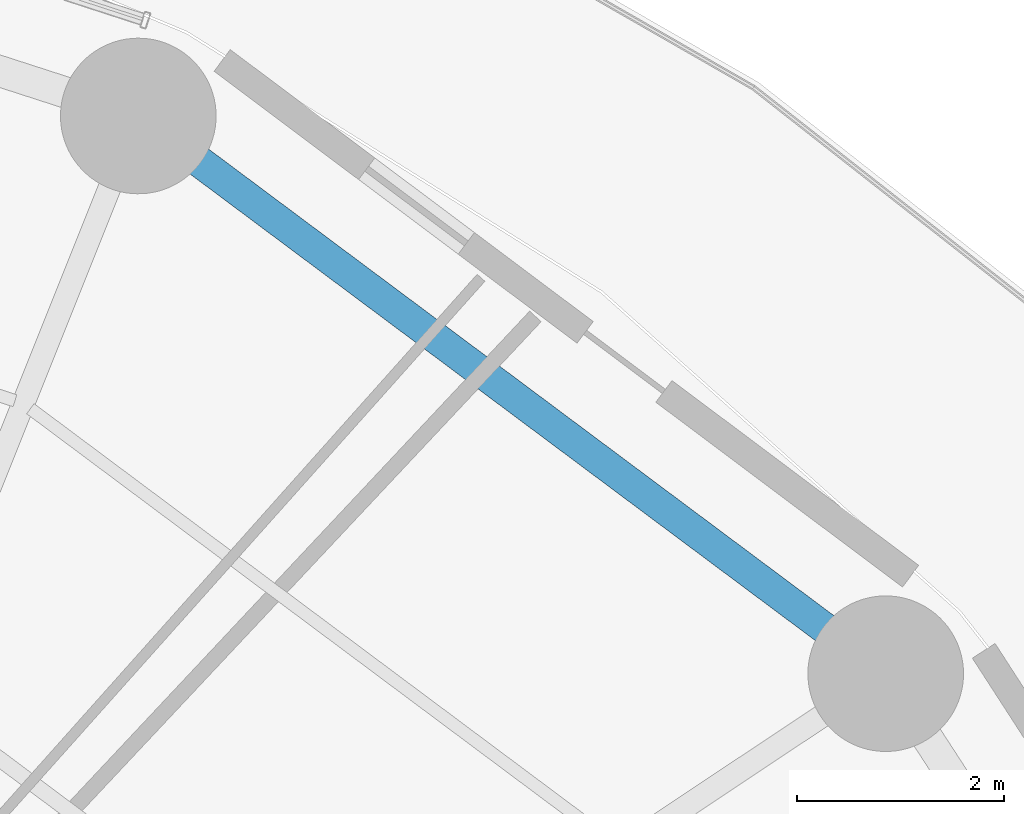
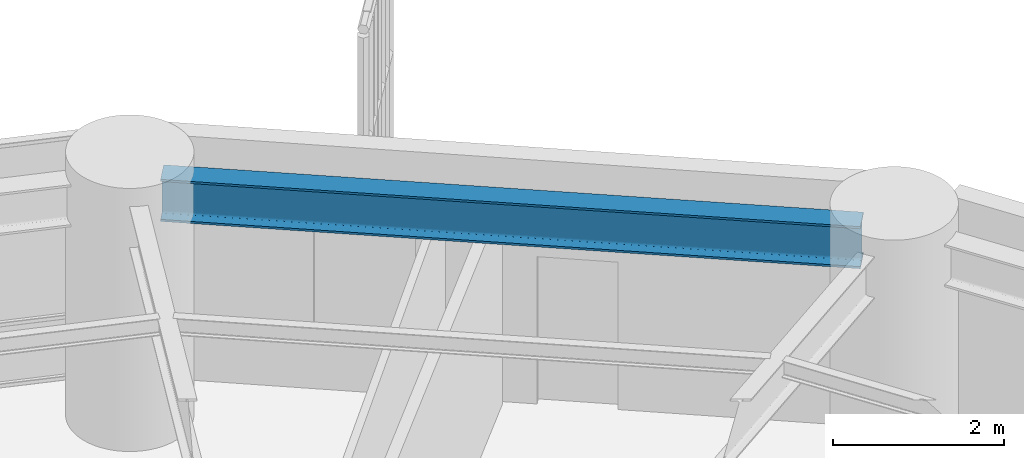
# One storey, part 21 of 33: 1 beam.
"""IFC4 building model written with IfcOpenShell, lengths in metres."""

from ifc_helpers import new_model, si_unit, direction, frame, origin, origin_2d, place, context, subcontext, project, spatial, i_section, extrude, material, material_profile, profile_set, type_object, element, save


model = new_model("IFC4")

# Units and contexts
model_context = context("Model", 3, precision=1e-05, world=origin(), true_north=direction((0.0, 1.0)))
body_context = subcontext(model_context, "Body", "Model", "MODEL_VIEW")
ifc_project = project(units=[si_unit("LENGTHUNIT", "METRE"), si_unit("AREAUNIT", "SQUARE_METRE"), si_unit("VOLUMEUNIT", "CUBIC_METRE"), si_unit("PLANEANGLEUNIT", "RADIAN"), si_unit("MASSUNIT", "GRAM", prefix="KILO")], contexts=[model_context])

# Site, building, storey
site_placement = place(None, origin())
site = spatial("IfcSite", under=ifc_project, at=site_placement, CompositionType="ELEMENT")
building_placement = place(site_placement, origin())
building = spatial("IfcBuilding", under=site, at=building_placement, Name="Kelanora Arch Commons", CompositionType="ELEMENT")
storey_placement = place(building_placement, frame((0.0, 0.0, 26.25)))
storey = spatial("IfcBuildingStorey", under=building, at=storey_placement, Name="L06", CompositionType="ELEMENT", Elevation=26.25)

# Beam
ifc_material = material(Name="Steel S355", Category="steel")
ifc_material_profile = material_profile(ifc_material, i_section(OverallWidth=0.300048828125, OverallDepth=0.60009765625, WebThickness=0.015380859375, FlangeThickness=0.030029296875, FilletRadius=0.027099609375, at=origin_2d()), Name="HEB600")
ifc_profile_set = profile_set([ifc_material_profile], Name="Steel S355")
beam_type = type_object("IfcBeamType", Name="BM-SPN-Z1", PredefinedType="SPANDREL", material=ifc_profile_set)
beam_placement = place(storey_placement, frame((94.43994140625, 73.70556640625, 3.18994140625), z_axis=(-0.801482139897, 0.598018711601, 0.0), x_axis=(-0.598018711601, -0.801482139897, 0.0)))
element("IfcBeam", 1, at=beam_placement, inside=storey, type_object=beam_type, Name="Perimeter Spandrel Beam BS-04 L06", PredefinedType="SPANDREL", context=body_context, shape_type="SweptSolid", body=[
    extrude(i_section(OverallWidth=0.300048828125, OverallDepth=0.60009765625, WebThickness=0.015380859375, FlangeThickness=0.030029296875, FilletRadius=0.027099609375, at=origin_2d()), origin(), (0.0, 0.0, 1.0), 8.22900390625),
])

save(model, "model.ifc")
